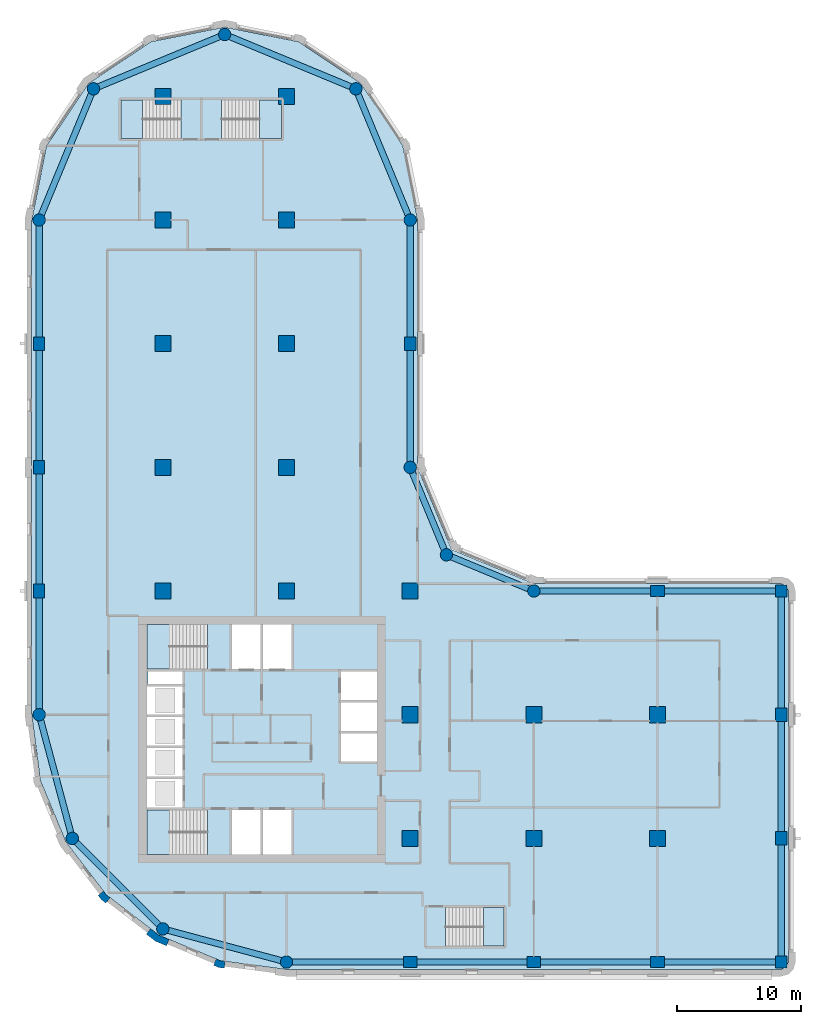
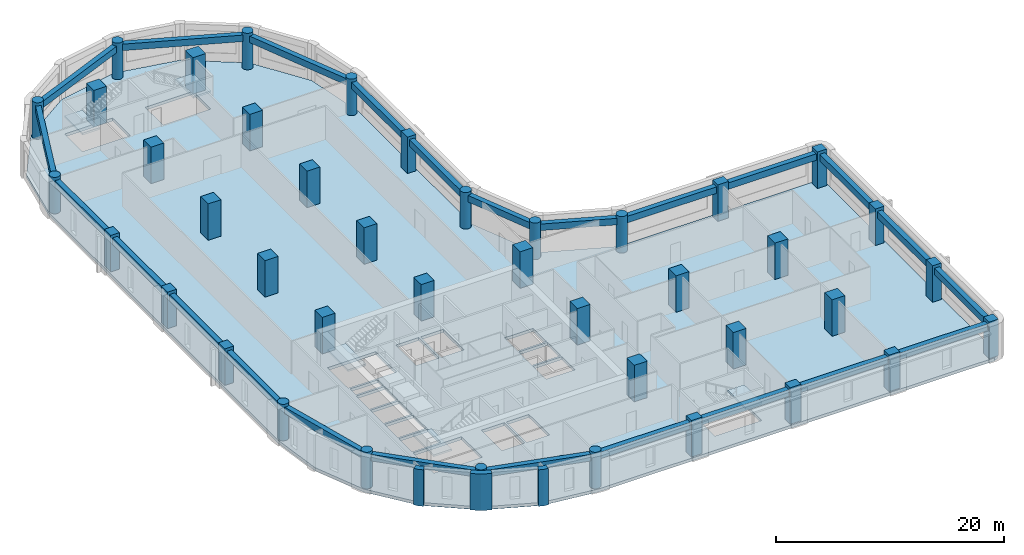
# One storey, part 1 of 9: 41 columns, 24 beams, 6 slabs, 3 walls, 5 elements without a shape of their own.
"""IFC4 building model written with IfcOpenShell, lengths in metres."""

from ifc_helpers import new_model, si_unit, direction, frame, origin, origin_2d, place, context, subcontext, project, spatial, polyline, rectangle, circle, outline, extrude, material, layer, layer_set, material_profile, profile_set, type_object, element, aggregate, save


model = new_model("IFC4")

# Units and contexts
model_context = context("Model", 3, precision=1e-05, world=origin(), true_north=direction((0.0, 1.0)))
body_context = subcontext(model_context, "Body", "Model", "MODEL_VIEW")
ifc_project = project(units=[si_unit("LENGTHUNIT", "METRE"), si_unit("AREAUNIT", "SQUARE_METRE"), si_unit("VOLUMEUNIT", "CUBIC_METRE"), si_unit("PLANEANGLEUNIT", "RADIAN"), si_unit("MASSUNIT", "GRAM", prefix="KILO")], contexts=[model_context])

# Site, building, storey
site_placement = place(None, origin())
site = spatial("IfcSite", under=ifc_project, at=site_placement, CompositionType="ELEMENT")
building_placement = place(site_placement, origin())
building = spatial("IfcBuilding", under=site, at=building_placement, Name="Qaws Garden Tower", CompositionType="ELEMENT")
storey_placement = place(building_placement, frame((0.0, 0.0, 225.300048828125)))
storey = spatial("IfcBuildingStorey", under=building, at=storey_placement, Name="L55", CompositionType="ELEMENT", Elevation=225.300048828125)

# Columns
ifc_material_1 = material(Name="Concrete C70", Category="concrete")
ifc_material_profile_1 = material_profile(ifc_material_1, rectangle(XDim=1.10009765625, YDim=0.89990234375, at=origin_2d()), Name="RC 1100x900")
ifc_profile_set_1 = profile_set([ifc_material_profile_1], Name="Concrete C70")
column_type_1 = type_object("IfcColumnType", Name="Column RC 1100x900 C70", PredefinedType="COLUMN", material=ifc_profile_set_1)
for number, where, z_axis, x_axis, name in (
    (1, (30.0, 0.0, 0.0), (0.0, 0.0, 1.0), (1.0, 0.0, 0.0), "Column L55-002"),
    (2, (40.0, 0.0, 0.0), (0.0, 0.0, 1.0), (1.0, 0.0, 0.0), "Column L55-003"),
    (3, (50.0, 0.0, 0.0), (0.0, 0.0, 1.0), (1.0, 0.0, 0.0), "Column L55-004"),
    (4, (60.0, 10.0, 0.0), (0.0, 0.0, 1.0), (0.0, 1.0, 0.0), "Column L55-006"),
    (5, (60.0, 20.0, 0.0), (0.0, 0.0, 1.0), (0.0, 1.0, 0.0), "Column L55-007"),
    (6, (50.0, 30.0, 0.0), (0.0, 0.0, 1.0), (1.0, 0.0, 0.0), "Column L55-009"),
    (7, (30.0, 50.0, 0.0), (0.0, 0.0, 1.0), (0.0, 1.0, 0.0), "Column L55-013"),
    (8, (0.0, 50.0, 0.0), (0.0, 0.0, 1.0), (0.0, 1.0, 0.0), "Column L55-019"),
    (9, (0.0, 40.0, 0.0), (0.0, 0.0, 1.0), (0.0, 1.0, 0.0), "Column L55-020"),
    (10, (0.0, 30.0, 0.0), (0.0, 0.0, 1.0), (0.0, 1.0, 0.0), "Column L55-021"),
):
    element("IfcColumn", number, at=place(storey_placement, frame(where, z_axis=z_axis, x_axis=x_axis)), inside=storey, type_object=column_type_1, Name=name, PredefinedType="COLUMN", context=body_context, shape_type="SweptSolid", body=[
        extrude(rectangle(XDim=1.10009765625, YDim=0.89990234375, at=origin_2d()), origin(), (0.0, 0.0, 1.0), 3.89990234375),
    ])
ifc_material_2 = material(Name="Concrete C70", Category="concrete")
ifc_material_profile_2 = material_profile(ifc_material_2, rectangle(XDim=1.300048828125, YDim=1.300048828125, at=origin_2d()), Name="RC 1300x1300")
ifc_profile_set_2 = profile_set([ifc_material_profile_2], Name="Concrete C70")
column_type_2 = type_object("IfcColumnType", Name="Column RC 1300x1300 C70", PredefinedType="COLUMN", material=ifc_profile_set_2)
for number, where, z_axis, x_axis, name in (
    (11, (10.0, 30.0, 0.0), (0.0, 0.0, 1.0), (1.0, 0.0, 0.0), "Column L55-025"),
    (12, (10.0, 40.0, 0.0), (0.0, 0.0, 1.0), (1.0, 0.0, 0.0), "Column L55-026"),
    (13, (10.0, 50.0, 0.0), (0.0, 0.0, 1.0), (1.0, 0.0, 0.0), "Column L55-027"),
    (14, (10.0, 60.0, 0.0), (0.0, 0.0, 1.0), (1.0, 0.0, 0.0), "Column L55-028"),
    (15, (10.0, 70.0, 0.0), (0.0, 0.0, 1.0), (1.0, 0.0, 0.0), "Column L55-029"),
    (16, (20.0, 30.0, 0.0), (0.0, 0.0, 1.0), (1.0, 0.0, 0.0), "Column L55-030"),
    (17, (20.0, 40.0, 0.0), (0.0, 0.0, 1.0), (1.0, 0.0, 0.0), "Column L55-031"),
    (18, (20.0, 50.0, 0.0), (0.0, 0.0, 1.0), (1.0, 0.0, 0.0), "Column L55-032"),
    (19, (20.0, 60.0, 0.0), (0.0, 0.0, 1.0), (1.0, 0.0, 0.0), "Column L55-033"),
    (20, (20.0, 70.0, 0.0), (0.0, 0.0, 1.0), (1.0, 0.0, 0.0), "Column L55-034"),
    (21, (30.0, 10.0, 0.0), (0.0, 0.0, 1.0), (1.0, 0.0, 0.0), "Column L55-035"),
    (22, (30.0, 20.0, 0.0), (0.0, 0.0, 1.0), (1.0, 0.0, 0.0), "Column L55-036"),
    (23, (30.0, 30.0, 0.0), (0.0, 0.0, 1.0), (1.0, 0.0, 0.0), "Column L55-037"),
    (24, (40.0, 10.0, 0.0), (0.0, 0.0, 1.0), (1.0, 0.0, 0.0), "Column L55-038"),
    (25, (40.0, 20.0, 0.0), (0.0, 0.0, 1.0), (1.0, 0.0, 0.0), "Column L55-039"),
    (26, (50.0, 10.0, 0.0), (0.0, 0.0, 1.0), (1.0, 0.0, 0.0), "Column L55-040"),
    (27, (50.0, 20.0, 0.0), (0.0, 0.0, 1.0), (1.0, 0.0, 0.0), "Column L55-041"),
):
    element("IfcColumn", number, at=place(storey_placement, frame(where, z_axis=z_axis, x_axis=x_axis)), inside=storey, type_object=column_type_2, Name=name, PredefinedType="COLUMN", context=body_context, shape_type="SweptSolid", body=[
        extrude(rectangle(XDim=1.300048828125, YDim=1.300048828125, at=origin_2d()), origin(), (0.0, 0.0, 1.0), 3.89990234375),
    ])
ifc_material_3 = material(Name="Concrete C70", Category="concrete")
ifc_material_profile_3 = material_profile(ifc_material_3, rectangle(XDim=0.949951171875, YDim=0.949951171875, at=origin_2d()), Name="RC 950x950")
ifc_profile_set_3 = profile_set([ifc_material_profile_3], Name="Concrete C70")
column_type_3 = type_object("IfcColumnType", Name="Column RC 950x950 C70", PredefinedType="COLUMN", material=ifc_profile_set_3)
for number, where, z_axis, x_axis, name in (
    (28, (60.0, 0.0, 0.0), (0.0, 0.0, 1.0), (1.0, 0.0, 0.0), "Column L55-005"),
    (29, (60.0, 30.0, 0.0), (0.0, 0.0, 1.0), (1.0, 0.0, 0.0), "Column L55-008"),
):
    element("IfcColumn", number, at=place(storey_placement, frame(where, z_axis=z_axis, x_axis=x_axis)), inside=storey, type_object=column_type_3, Name=name, PredefinedType="COLUMN", context=body_context, shape_type="SweptSolid", body=[
        extrude(rectangle(XDim=0.949951171875, YDim=0.949951171875, at=origin_2d()), origin(), (0.0, 0.0, 1.0), 3.89990234375),
    ])
ifc_material_4 = material(Name="Concrete C70", Category="concrete")
ifc_material_profile_4 = material_profile(ifc_material_4, circle(Radius=0.5, at=origin_2d()), Name="RC D1000")
ifc_profile_set_4 = profile_set([ifc_material_profile_4], Name="Concrete C70")
column_type_4 = type_object("IfcColumnType", Name="Column RC D1000 C70", PredefinedType="COLUMN", material=ifc_profile_set_4)
for number, where, z_axis, x_axis, name in (
    (30, (20.0, 0.0, 0.0), (0.0, 0.0, 1.0), (1.0, 0.0, 0.0), "Column L55-001"),
    (31, (40.0, 30.0, 0.0), (0.0, 0.0, 1.0), (1.0, 0.0, 0.0), "Column L55-010"),
    (32, (32.928955078125, 32.928955078125, 0.0), (0.0, 0.0, 1.0), (1.0, 0.0, 0.0), "Column L55-011"),
    (33, (30.0, 40.0, 0.0), (0.0, 0.0, 1.0), (1.0, 0.0, 0.0), "Column L55-012"),
    (34, (30.0, 60.0, 0.0), (0.0, 0.0, 1.0), (1.0, 0.0, 0.0), "Column L55-014"),
    (35, (25.606689453125, 70.606689453125, 0.0), (0.0, 0.0, 1.0), (1.0, 0.0, 0.0), "Column L55-015"),
    (36, (15.0, 75.0, 0.0), (0.0, 0.0, 1.0), (1.0, 0.0, 0.0), "Column L55-016"),
    (37, (4.393310546875, 70.606689453125, 0.0), (0.0, 0.0, 1.0), (1.0, 0.0, 0.0), "Column L55-017"),
    (38, (0.0, 60.0, 0.0), (0.0, 0.0, 1.0), (1.0, 0.0, 0.0), "Column L55-018"),
    (39, (0.0, 20.0, 0.0), (0.0, 0.0, 1.0), (1.0, 0.0, 0.0), "Column L55-022"),
    (40, (2.679443359375, 10.0, 0.0), (0.0, 0.0, 1.0), (1.0, 0.0, 0.0), "Column L55-023"),
    (41, (10.0, 2.679443359375, 0.0), (0.0, 0.0, 1.0), (1.0, 0.0, 0.0), "Column L55-024"),
):
    element("IfcColumn", number, at=place(storey_placement, frame(where, z_axis=z_axis, x_axis=x_axis)), inside=storey, type_object=column_type_4, Name=name, PredefinedType="COLUMN", context=body_context, shape_type="SweptSolid", body=[
        extrude(circle(Radius=0.5, at=origin_2d()), origin(), (0.0, 0.0, 1.0), 3.89990234375),
    ])

# Beams
ifc_material_5 = material(Name="Concrete C45", Category="concrete")
ifc_material_profile_5 = material_profile(ifc_material_5, rectangle(XDim=0.5, YDim=0.699951171875, at=origin_2d()), Name="RC 500x700")
ifc_profile_set_5 = profile_set([ifc_material_profile_5], Name="Concrete C45")
beam_type = type_object("IfcBeamType", Name="Spandrel beam RC 500x700 C45", PredefinedType="SPANDREL", material=ifc_profile_set_5)
for number, where, z_axis, x_axis, name in (
    (42, (20.0, 0.0, 3.22998046875), (1.0, 0.0, 0.0), (0.0, 1.0, 0.0), "Spandrel beam L55-001"),
    (43, (30.0, 0.0, 3.22998046875), (1.0, 0.0, 0.0), (0.0, 1.0, 0.0), "Spandrel beam L55-002"),
    (44, (40.0, 0.0, 3.22998046875), (1.0, 0.0, 0.0), (0.0, 1.0, 0.0), "Spandrel beam L55-003"),
    (45, (50.0, 0.0, 3.22998046875), (1.0, 0.0, 0.0), (0.0, 1.0, 0.0), "Spandrel beam L55-004"),
    (46, (60.0, 0.0, 3.22998046875), (0.0, 1.0, 0.0), (-1.0, 0.0, 0.0), "Spandrel beam L55-005"),
    (47, (60.0, 10.0, 3.22998046875), (0.0, 1.0, 0.0), (-1.0, 0.0, 0.0), "Spandrel beam L55-006"),
    (48, (60.0, 20.0, 3.22998046875), (0.0, 1.0, 0.0), (-1.0, 0.0, 0.0), "Spandrel beam L55-007"),
    (49, (60.0, 30.0, 3.22998046875), (-1.0, 0.0, 0.0), (0.0, -1.0, 0.0), "Spandrel beam L55-008"),
    (50, (50.0, 30.0, 3.22998046875), (-1.0, 0.0, 0.0), (0.0, -1.0, 0.0), "Spandrel beam L55-009"),
):
    element("IfcBeam", number, at=place(storey_placement, frame(where, z_axis=z_axis, x_axis=x_axis)), inside=storey, type_object=beam_type, Name=name, PredefinedType="SPANDREL", context=body_context, shape_type="SweptSolid", body=[
        extrude(rectangle(XDim=0.5, YDim=0.699951171875, at=origin_2d()), origin(), (0.0, 0.0, 1.0), 10.0),
    ])
for number, where, z_axis, x_axis, name in (
    (51, (40.0, 30.0, 3.22998046875), (-0.923878037141, 0.382687042488, 0.0), (-0.382687042488, -0.923878037141, 0.0), "Spandrel beam L55-010"),
    (52, (32.928955078125, 32.928955078125, 3.22998046875), (-0.382687042488, 0.923878037141, 0.0), (-0.923878037141, -0.382687042488, 0.0), "Spandrel beam L55-011"),
):
    element("IfcBeam", number, at=place(storey_placement, frame(where, z_axis=z_axis, x_axis=x_axis)), inside=storey, type_object=beam_type, Name=name, PredefinedType="SPANDREL", context=body_context, shape_type="SweptSolid", body=[
        extrude(rectangle(XDim=0.5, YDim=0.699951171875, at=origin_2d()), origin(), (0.0, 0.0, 1.0), 7.653564453125),
    ])
for number, where, z_axis, x_axis, name in (
    (53, (30.0, 40.0, 3.22998046875), (0.0, 1.0, 0.0), (-1.0, 0.0, 0.0), "Spandrel beam L55-012"),
    (54, (30.0, 50.0, 3.22998046875), (0.0, 1.0, 0.0), (-1.0, 0.0, 0.0), "Spandrel beam L55-013"),
):
    element("IfcBeam", number, at=place(storey_placement, frame(where, z_axis=z_axis, x_axis=x_axis)), inside=storey, type_object=beam_type, Name=name, PredefinedType="SPANDREL", context=body_context, shape_type="SweptSolid", body=[
        extrude(rectangle(XDim=0.5, YDim=0.699951171875, at=origin_2d()), origin(), (0.0, 0.0, 1.0), 10.0),
    ])
for number, where, z_axis, x_axis, name in (
    (55, (30.0, 60.0, 3.22998046875), (-0.382674207535, 0.923883353507, 0.0), (-0.923883353507, -0.382674207535, 0.0), "Spandrel beam L55-014"),
    (56, (25.606689453125, 70.606689453125, 3.22998046875), (-0.923883353507, 0.382674207535, 0.0), (-0.382674207535, -0.923883353507, 0.0), "Spandrel beam L55-015"),
    (57, (15.0, 75.0, 3.22998046875), (-0.923883353507, -0.382674207535, 0.0), (0.382674207535, -0.923883353507, 0.0), "Spandrel beam L55-016"),
    (58, (4.393310546875, 70.606689453125, 3.22998046875), (-0.382674207535, -0.923883353507, 0.0), (0.923883353507, -0.382674207535, 0.0), "Spandrel beam L55-017"),
):
    element("IfcBeam", number, at=place(storey_placement, frame(where, z_axis=z_axis, x_axis=x_axis)), inside=storey, type_object=beam_type, Name=name, PredefinedType="SPANDREL", context=body_context, shape_type="SweptSolid", body=[
        extrude(rectangle(XDim=0.5, YDim=0.699951171875, at=origin_2d()), origin(), (0.0, 0.0, 1.0), 11.48046875),
    ])
for number, where, z_axis, x_axis, name in (
    (59, (0.0, 60.0, 3.22998046875), (0.0, -1.0, 0.0), (1.0, 0.0, 0.0), "Spandrel beam L55-018"),
    (60, (0.0, 50.0, 3.22998046875), (0.0, -1.0, 0.0), (1.0, 0.0, 0.0), "Spandrel beam L55-019"),
    (61, (0.0, 40.0, 3.22998046875), (0.0, -1.0, 0.0), (1.0, 0.0, 0.0), "Spandrel beam L55-020"),
    (62, (0.0, 30.0, 3.22998046875), (0.0, -1.0, 0.0), (1.0, 0.0, 0.0), "Spandrel beam L55-021"),
):
    element("IfcBeam", number, at=place(storey_placement, frame(where, z_axis=z_axis, x_axis=x_axis)), inside=storey, type_object=beam_type, Name=name, PredefinedType="SPANDREL", context=body_context, shape_type="SweptSolid", body=[
        extrude(rectangle(XDim=0.5, YDim=0.699951171875, at=origin_2d()), origin(), (0.0, 0.0, 1.0), 10.0),
    ])
for number, where, z_axis, x_axis, name in (
    (63, (0.0, 20.0, 3.22998046875), (0.25881466832, -0.965926999034, 0.0), (0.965926999034, 0.25881466832, 0.0), "Spandrel beam L55-022"),
    (64, (2.679443359375, 10.0, 3.22998046875), (0.707106781187, -0.707106781187, 0.0), (0.707106781187, 0.707106781187, 0.0), "Spandrel beam L55-023"),
    (65, (10.0, 2.679443359375, 3.22998046875), (0.965926999034, -0.25881466832, 0.0), (0.25881466832, 0.965926999034, 0.0), "Spandrel beam L55-024"),
):
    element("IfcBeam", number, at=place(storey_placement, frame(where, z_axis=z_axis, x_axis=x_axis)), inside=storey, type_object=beam_type, Name=name, PredefinedType="SPANDREL", context=body_context, shape_type="SweptSolid", body=[
        extrude(rectangle(XDim=0.5, YDim=0.699951171875, at=origin_2d()), origin(), (0.0, 0.0, 1.0), 10.352783203125),
    ])

# Slab
ifc_material_6 = material(Name="Concrete C40", Category="concrete")
ifc_layer_1 = layer(ifc_material_6, 0.320068359375)
ifc_layer_set_1 = layer_set([ifc_layer_1], Name="Concrete C40")
slab_type_1 = type_object("IfcSlabType", Name="Floor slab 320 C40", PredefinedType="FLOOR", material=ifc_layer_set_1)
slab_1_placement = place(storey_placement, frame((0.0, 0.0, -0.320068359375)))
element("IfcSlab", 66, at=slab_1_placement, inside=storey, type_object=slab_type_1, Name="Floor slab L55", PredefinedType="FLOOR", context=body_context, shape_type="SweptSolid", body=[
    extrude(outline(polyline([(0.101806640625, 14.668212890625), (-0.60009765625, 20.0), (-0.60009765625, 30.60009765625), (-0.60009765625, 60.0), (-0.60009765625, 60.0), (0.58740234375, 65.969970703125), (3.968994140625, 71.031005859375), (9.030029296875, 74.41259765625), (15.0, 75.60009765625), (20.969970703125, 74.41259765625), (26.031005859375, 71.031005859375), (29.41259765625, 65.969970703125), (30.60009765625, 60.0), (30.60009765625, 40.0), (33.353271484375, 33.353271484375), (40.0, 30.60009765625), (60.0, 30.60009765625), (60.42431640625, 30.42431640625), (60.60009765625, 30.0), (60.60009765625, 0.0), (60.42431640625, -0.42431640625), (60.0, -0.60009765625), (30.60009765625, -0.60009765625), (20.0, -0.60009765625), (14.668212890625, 0.101806640625), (9.699951171875, 2.159912109375), (5.43359375, 5.43359375), (2.159912109375, 9.699951171875), (0.101806640625, 14.668212890625)]), holes=[polyline([(13.599609375, 12.300048828125), (8.699951171875, 12.300048828125), (8.699951171875, 8.699951171875), (13.599609375, 8.699951171875), (13.599609375, 12.300048828125)]), polyline([(17.89990234375, 12.300048828125), (15.60009765625, 12.300048828125), (15.60009765625, 8.699951171875), (17.89990234375, 8.699951171875), (17.89990234375, 12.300048828125)]), polyline([(11.60009765625, 14.800048828125), (8.699951171875, 14.800048828125), (8.699951171875, 12.5), (11.60009765625, 12.5), (11.60009765625, 14.800048828125)]), polyline([(11.60009765625, 17.300048828125), (8.699951171875, 17.300048828125), (8.699951171875, 15.0), (11.60009765625, 15.0), (11.60009765625, 17.300048828125)]), polyline([(11.60009765625, 19.800048828125), (8.699951171875, 19.800048828125), (8.699951171875, 17.5), (11.60009765625, 17.5), (11.60009765625, 19.800048828125)]), polyline([(11.60009765625, 22.300048828125), (8.699951171875, 22.300048828125), (8.699951171875, 20.0), (11.60009765625, 20.0), (11.60009765625, 22.300048828125)]), polyline([(11.60009765625, 23.5), (8.800048828125, 23.5), (8.800048828125, 22.5), (11.60009765625, 22.5), (11.60009765625, 23.5)]), polyline([(13.599609375, 27.300048828125), (8.699951171875, 27.300048828125), (8.699951171875, 23.699951171875), (13.599609375, 23.699951171875), (13.599609375, 27.300048828125)]), polyline([(11.449462890625, 69.699951171875), (6.60009765625, 69.699951171875), (6.60009765625, 66.60009765625), (11.449462890625, 66.60009765625), (11.449462890625, 69.699951171875)]), polyline([(37.60009765625, 4.39990234375), (32.8505859375, 4.39990234375), (32.8505859375, 1.300048828125), (37.60009765625, 1.300048828125), (37.60009765625, 4.39990234375)]), polyline([(20.39990234375, 12.300048828125), (18.10009765625, 12.300048828125), (18.10009765625, 8.699951171875), (20.39990234375, 8.699951171875), (20.39990234375, 12.300048828125)]), polyline([(27.300048828125, 18.5), (24.39990234375, 18.5), (24.39990234375, 16.199951171875), (27.300048828125, 16.199951171875), (27.300048828125, 18.5)]), polyline([(27.300048828125, 21.0), (24.39990234375, 21.0), (24.39990234375, 18.699951171875), (27.300048828125, 18.699951171875), (27.300048828125, 21.0)]), polyline([(27.300048828125, 23.5), (24.39990234375, 23.5), (24.39990234375, 21.199951171875), (27.300048828125, 21.199951171875), (27.300048828125, 23.5)]), polyline([(17.89990234375, 27.300048828125), (15.60009765625, 27.300048828125), (15.60009765625, 23.699951171875), (17.89990234375, 23.699951171875), (17.89990234375, 27.300048828125)]), polyline([(20.39990234375, 23.699951171875), (20.39990234375, 27.300048828125), (18.10009765625, 27.300048828125), (18.10009765625, 23.699951171875), (20.39990234375, 23.699951171875)]), polyline([(19.60009765625, 66.60009765625), (19.60009765625, 69.699951171875), (14.75048828125, 69.699951171875), (14.75048828125, 66.60009765625), (19.60009765625, 66.60009765625)])]), origin(), (0.0, 0.0, 1.0), 0.320068359375),
])

# Stair, slab
ifc_material_7 = material(Name="Concrete C40", Category="concrete")
stair_type_1 = type_object("IfcStairType", Name="Exit stair 1500", PredefinedType="HALF_TURN_STAIR", material=ifc_material_7)
placement_1 = place(storey_placement, origin())
stair_1 = element("IfcStair", 67, at=placement_1, inside=storey, type_object=stair_type_1, Name="Stair 1", PredefinedType="HALF_TURN_STAIR")
ifc_material_8 = material(Name="Concrete C40", Category="concrete")
ifc_layer_2 = layer(ifc_material_8, 0.199951171875)
ifc_layer_set_2 = layer_set([ifc_layer_2], Name="Concrete C40")
slab_type_2 = type_object("IfcSlabType", Name="Stair landing 200", PredefinedType="LANDING", material=ifc_layer_set_2)
placement_2 = place(storey_placement, frame((0.0, 0.0, 1.75)))
slab_2 = element("IfcSlab", 68, at=placement_2, type_object=slab_type_2, Name="ST1 landing 1", PredefinedType="LANDING", context=body_context, shape_type="SweptSolid", body=[
    extrude(outline(polyline([(8.699951171875, 8.699951171875), (10.52001953125, 8.699951171875), (10.52001953125, 12.300048828125), (8.699951171875, 12.300048828125), (8.699951171875, 8.699951171875)])), origin(), (0.0, 0.0, 1.0), 0.199951171875),
])
aggregate(stair_1, [slab_2])

stair_2 = element("IfcStair", 69, at=placement_1, inside=storey, type_object=stair_type_1, Name="Stair 4", PredefinedType="HALF_TURN_STAIR")
slab_3 = element("IfcSlab", 70, at=placement_2, type_object=slab_type_2, Name="ST4 landing 1", PredefinedType="LANDING", context=body_context, shape_type="SweptSolid", body=[
    extrude(outline(polyline([(8.699951171875, 23.699951171875), (10.52001953125, 23.699951171875), (10.52001953125, 27.300048828125), (8.699951171875, 27.300048828125), (8.699951171875, 23.699951171875)])), origin(), (0.0, 0.0, 1.0), 0.199951171875),
])
aggregate(stair_2, [slab_3])

ifc_material_9 = material(Name="Concrete C40", Category="concrete")
stair_type_2 = type_object("IfcStairType", Name="Exit stair 1350", PredefinedType="HALF_TURN_STAIR", material=ifc_material_9)
stair_3 = element("IfcStair", 71, at=placement_1, inside=storey, type_object=stair_type_2, Name="Stair 5", PredefinedType="HALF_TURN_STAIR")
slab_4 = element("IfcSlab", 72, at=placement_2, type_object=slab_type_2, Name="ST5 landing 1", PredefinedType="LANDING", context=body_context, shape_type="SweptSolid", body=[
    extrude(outline(polyline([(35.929931640625, 1.300048828125), (37.60009765625, 1.300048828125), (37.60009765625, 4.39990234375), (35.929931640625, 4.39990234375), (35.929931640625, 1.300048828125)])), origin(), (0.0, 0.0, 1.0), 0.199951171875),
])
aggregate(stair_3, [slab_4])

stair_4 = element("IfcStair", 73, at=placement_1, inside=storey, type_object=stair_type_2, Name="Stair 6", PredefinedType="HALF_TURN_STAIR")
slab_5 = element("IfcSlab", 74, at=placement_2, type_object=slab_type_2, Name="ST6 landing 1", PredefinedType="LANDING", context=body_context, shape_type="SweptSolid", body=[
    extrude(outline(polyline([(6.60009765625, 66.60009765625), (8.3701171875, 66.60009765625), (8.3701171875, 69.699951171875), (6.60009765625, 69.699951171875), (6.60009765625, 66.60009765625)])), origin(), (0.0, 0.0, 1.0), 0.199951171875),
])
aggregate(stair_4, [slab_5])

stair_5 = element("IfcStair", 75, at=placement_1, inside=storey, type_object=stair_type_2, Name="Stair 7", PredefinedType="HALF_TURN_STAIR")
slab_6 = element("IfcSlab", 76, at=placement_2, type_object=slab_type_2, Name="ST7 landing 1", PredefinedType="LANDING", context=body_context, shape_type="SweptSolid", body=[
    extrude(outline(polyline([(17.830078125, 66.60009765625), (19.60009765625, 66.60009765625), (19.60009765625, 69.699951171875), (17.830078125, 69.699951171875), (17.830078125, 66.60009765625)])), origin(), (0.0, 0.0, 1.0), 0.199951171875),
])
aggregate(stair_5, [slab_6])

# Walls
ifc_material_10 = material(Name="Clay facing brick masonry", Category="masonry")
ifc_layer_3 = layer(ifc_material_10, 0.550048828125)
ifc_layer_set_3 = layer_set([ifc_layer_3], Name="Clay facing brick masonry")
wall_type_1 = type_object("IfcWallType", Name="Brick kink pier 550 x 600", PredefinedType="SOLIDWALL", material=ifc_layer_set_3)
element("IfcWall", 77, at=placement_1, inside=storey, type_object=wall_type_1, Name="E-L55-pier-28", PredefinedType="SOLIDWALL", context=body_context, shape_type="SweptSolid", body=[
    extrude(outline(polyline([(4.8818359375, 5.487060546875), (4.762939453125, 5.395751953125), (5.03759765625, 5.03759765625), (5.395751953125, 4.762939453125), (5.487060546875, 4.8818359375), (5.730712890625, 5.19921875), (5.429931640625, 5.429931640625), (5.19921875, 5.730712890625), (4.8818359375, 5.487060546875)])), origin(), (0.0, 0.0, 1.0), 3.89990234375),
])
element("IfcWall", 78, at=placement_1, inside=storey, type_object=wall_type_1, Name="E-L55-pier-30", PredefinedType="SOLIDWALL", context=body_context, shape_type="SweptSolid", body=[
    extrude(outline(polyline([(14.163818359375, -0.127685546875), (14.1064453125, -0.26611328125), (14.5234375, -0.43896484375), (14.970947265625, -0.497802734375), (14.990478515625, -0.34912109375), (15.042724609375, 0.04736328125), (14.6669921875, 0.096923828125), (14.31689453125, 0.241943359375), (14.163818359375, -0.127685546875)])), origin(), (0.0, 0.0, 1.0), 3.89990234375),
])
ifc_material_11 = material(Name="Clay facing brick masonry", Category="masonry")
ifc_layer_4 = layer(ifc_material_11, 0.550048828125)
ifc_layer_set_4 = layer_set([ifc_layer_4], Name="Clay facing brick masonry")
wall_type_2 = type_object("IfcWallType", Name="Brick pier 550 x 1600", PredefinedType="SOLIDWALL", material=ifc_layer_set_4)
element("IfcWall", 79, at=placement_1, inside=storey, type_object=wall_type_2, Name="E-L55-pier-29", PredefinedType="SOLIDWALL", context=body_context, shape_type="SweptSolid", body=[
    extrude(outline(polyline([(8.756591796875, 2.373046875), (8.665283203125, 2.254150390625), (9.419921875, 1.675048828125), (10.299072265625, 1.310791015625), (10.3564453125, 1.449462890625), (10.509521484375, 1.819091796875), (9.697509765625, 2.1552734375), (9.0, 2.6904296875), (8.756591796875, 2.373046875)])), origin(), (0.0, 0.0, 1.0), 3.89990234375),
])

save(model, "model.ifc")
